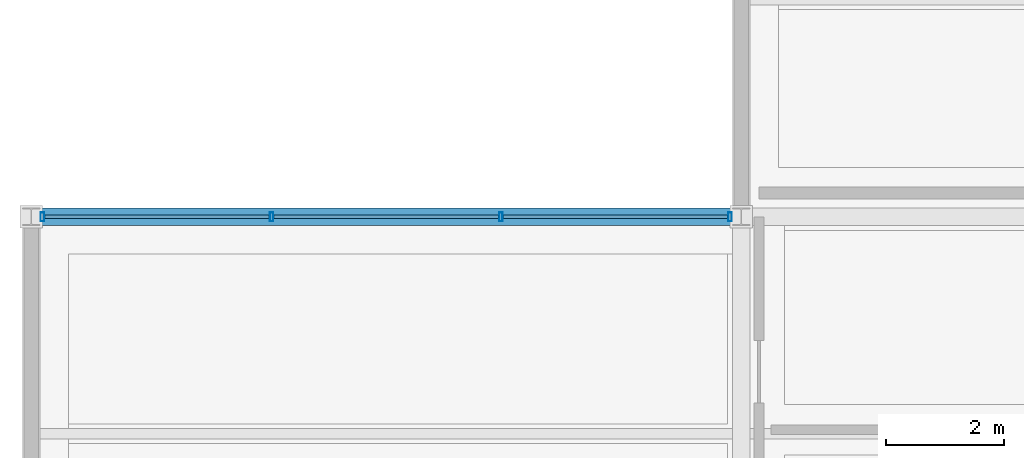
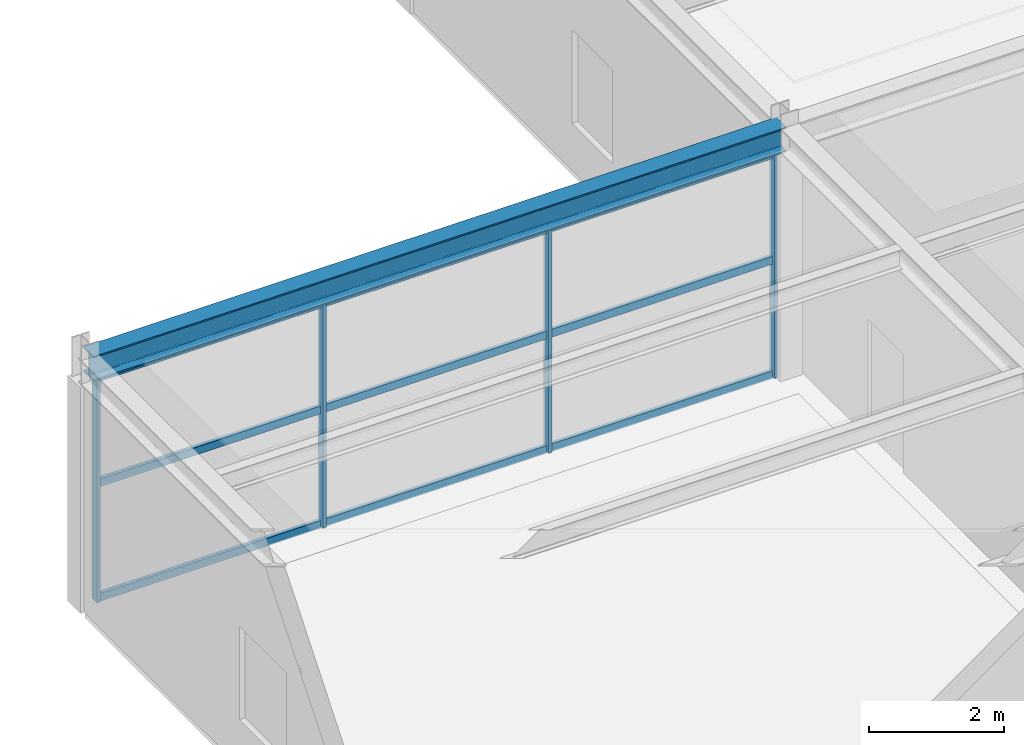
# One storey, part 52 of 108: 13 members, 1 beam, 1 element without a shape of its own.
"""IFC4 building model written with IfcOpenShell, lengths in metres."""

from ifc_helpers import new_model, si_unit, direction, frame, origin, origin_2d, place, context, subcontext, project, spatial, hollow_rectangle, i_section, extrude, material, material_profile, profile_set, type_object, element, aggregate, save


model = new_model("IFC4")

# Units and contexts
model_context = context("Model", 3, precision=1e-05, world=origin(), true_north=direction((0.0, 1.0)))
body_context = subcontext(model_context, "Body", "Model", "MODEL_VIEW")
ifc_project = project(units=[si_unit("LENGTHUNIT", "METRE"), si_unit("AREAUNIT", "SQUARE_METRE"), si_unit("VOLUMEUNIT", "CUBIC_METRE"), si_unit("PLANEANGLEUNIT", "RADIAN"), si_unit("MASSUNIT", "GRAM", prefix="KILO")], contexts=[model_context])

# Site, building, storey
site_placement = place(None, origin())
site = spatial("IfcSite", under=ifc_project, at=site_placement, CompositionType="ELEMENT")
building_placement = place(site_placement, origin())
building = spatial("IfcBuilding", under=site, at=building_placement, Name="Tarnveldt Headland Concert Hall", CompositionType="ELEMENT")
storey_placement = place(building_placement, frame((0.0, 0.0, 9.60009765625)))
storey = spatial("IfcBuildingStorey", under=building, at=storey_placement, Name="L02", CompositionType="ELEMENT", Elevation=9.60009765625)

# Curtain wall, members
ifc_material_1 = material(Name="Marine-anodised aluminium EN AW-6063-T6", Category="aluminium")
curtain_wall_type = type_object("IfcCurtainWallType", Name="CW-R3", PredefinedType="NOTDEFINED", material=ifc_material_1)
curtain_wall_placement = place(storey_placement, origin())
curtain_wall = element("IfcCurtainWall", 1, at=curtain_wall_placement, inside=storey, type_object=curtain_wall_type, Name="Curtain wall CW-L02-182", PredefinedType="NOTDEFINED")
ifc_material_profile_1 = material_profile(ifc_material_1, hollow_rectangle(XDim=0.06005859375, YDim=0.14990234375, WallThickness=0.00390625, at=origin_2d()), Name="ALU MULLION 60x150x4", Category="aluminium")
ifc_profile_set_1 = profile_set([ifc_material_profile_1], Name="Marine-anodised aluminium EN AW-6063-T6")
member_type_1 = type_object("IfcMemberType", Name="ML-150", PredefinedType="MULLION", material=ifc_profile_set_1)
member_1_placement = place(storey_placement, frame((19.31005859375, 93.0, 0.0), z_axis=(0.0, 0.0, 1.0), x_axis=(1.0, 0.0, 0.0)))
member_1 = element("IfcMember", 2, at=member_1_placement, type_object=member_type_1, Name="Mullion CW-L02-182-1", PredefinedType="MULLION", context=body_context, shape_type="SweptSolid", body=[
    extrude(hollow_rectangle(XDim=0.06005859375, YDim=0.14990234375, WallThickness=0.00390625, at=origin_2d()), origin(), (0.0, 0.0, 1.0), 4.087890625),
])
member_2_placement = place(storey_placement, frame((15.436767578125, 93.0, 0.0), z_axis=(0.0, 0.0, 1.0), x_axis=(1.0, 0.0, 0.0)))
member_2 = element("IfcMember", 3, at=member_2_placement, type_object=member_type_1, Name="Mullion CW-L02-182-2", PredefinedType="MULLION", context=body_context, shape_type="SweptSolid", body=[
    extrude(hollow_rectangle(XDim=0.06005859375, YDim=0.14990234375, WallThickness=0.00390625, at=origin_2d()), origin(), (0.0, 0.0, 1.0), 4.087890625),
])
member_3_placement = place(storey_placement, frame((11.563232421875, 93.0, 0.0), z_axis=(0.0, 0.0, 1.0), x_axis=(1.0, 0.0, 0.0)))
member_3 = element("IfcMember", 4, at=member_3_placement, type_object=member_type_1, Name="Mullion CW-L02-182-3", PredefinedType="MULLION", context=body_context, shape_type="SweptSolid", body=[
    extrude(hollow_rectangle(XDim=0.06005859375, YDim=0.14990234375, WallThickness=0.00390625, at=origin_2d()), origin(), (0.0, 0.0, 1.0), 4.087890625),
])
member_4_placement = place(storey_placement, frame((7.68994140625, 93.0, 0.0), z_axis=(0.0, 0.0, 1.0), x_axis=(1.0, 0.0, 0.0)))
member_4 = element("IfcMember", 5, at=member_4_placement, type_object=member_type_1, Name="Mullion CW-L02-182-4", PredefinedType="MULLION", context=body_context, shape_type="SweptSolid", body=[
    extrude(hollow_rectangle(XDim=0.06005859375, YDim=0.14990234375, WallThickness=0.00390625, at=origin_2d()), origin(), (0.0, 0.0, 1.0), 4.087890625),
])

# Beam
ifc_material_2 = material(Name="Steel S355", Category="steel")
ifc_material_profile_2 = material_profile(ifc_material_2, i_section(OverallWidth=0.300048828125, OverallDepth=0.449951171875, WebThickness=0.013916015625, FlangeThickness=0.02587890625, FilletRadius=0.027099609375, at=origin_2d()), Name="HEB450", Category="steel")
ifc_profile_set_2 = profile_set([ifc_material_profile_2], Name="Steel S355")
beam_type = type_object("IfcBeamType", Name="SB-HEB450", PredefinedType="BEAM", material=ifc_profile_set_2)
beam_placement = place(storey_placement, frame((7.56005859375, 93.0, 4.324951171875), z_axis=(1.0, 0.0, 0.0), x_axis=(0.0, 1.0, 0.0)))
element("IfcBeam", 6, at=beam_placement, inside=storey, type_object=beam_type, Name="Framing beam L02-1175", PredefinedType="BEAM", context=body_context, shape_type="SweptSolid", body=[
    extrude(i_section(OverallWidth=0.300048828125, OverallDepth=0.449951171875, WebThickness=0.013916015625, FlangeThickness=0.02587890625, FilletRadius=0.027099609375, at=origin_2d()), origin(), (0.0, 0.0, 1.0), 11.8798828125),
])

# Member
ifc_material_profile_3 = material_profile(ifc_material_1, hollow_rectangle(XDim=0.06494140625, YDim=0.139892578125, WallThickness=0.00390625, at=origin_2d()), Name="ALU TRANSOM 65x140x4", Category="aluminium")
ifc_profile_set_3 = profile_set([ifc_material_profile_3], Name="Marine-anodised aluminium EN AW-6063-T6")
member_type_2 = type_object("IfcMemberType", Name="TR-140", PredefinedType="MEMBER", material=ifc_profile_set_3)
member_5_placement = place(storey_placement, frame((19.26806640625, 93.0, 0.0498046875), z_axis=(-1.0, 0.0, 0.0), x_axis=(0.0, -1.0, 0.0)))
member_5 = element("IfcMember", 7, at=member_5_placement, type_object=member_type_2, Name="Transom CW-L02-182-1-1", PredefinedType="MEMBER", context=body_context, shape_type="SweptSolid", body=[
    extrude(hollow_rectangle(XDim=0.06494140625, YDim=0.139892578125, WallThickness=0.00390625, at=origin_2d()), origin(), (0.0, 0.0, 1.0), 3.789306640625),
])

member_6_placement = place(storey_placement, frame((19.26806640625, 93.0, 2.125732421875), z_axis=(-1.0, 0.0, 0.0), x_axis=(0.0, -1.0, 0.0)))
member_6 = element("IfcMember", 8, at=member_6_placement, type_object=member_type_2, Name="Transom CW-L02-182-1-2", PredefinedType="MEMBER", context=body_context, shape_type="SweptSolid", body=[
    extrude(hollow_rectangle(XDim=0.06494140625, YDim=0.139892578125, WallThickness=0.00390625, at=origin_2d()), origin(), (0.0, 0.0, 1.0), 3.789306640625),
])

member_7_placement = place(storey_placement, frame((19.26806640625, 93.0, 4.037841796875), z_axis=(-1.0, 0.0, 0.0), x_axis=(0.0, -1.0, 0.0)))
member_7 = element("IfcMember", 9, at=member_7_placement, type_object=member_type_2, Name="Transom CW-L02-182-1-3", PredefinedType="MEMBER", context=body_context, shape_type="SweptSolid", body=[
    extrude(hollow_rectangle(XDim=0.06494140625, YDim=0.139892578125, WallThickness=0.00390625, at=origin_2d()), origin(), (0.0, 0.0, 1.0), 3.789306640625),
])

member_8_placement = place(storey_placement, frame((15.394775390625, 93.0, 0.0498046875), z_axis=(-1.0, 0.0, 0.0), x_axis=(0.0, -1.0, 0.0)))
member_8 = element("IfcMember", 10, at=member_8_placement, type_object=member_type_2, Name="Transom CW-L02-182-2-1", PredefinedType="MEMBER", context=body_context, shape_type="SweptSolid", body=[
    extrude(hollow_rectangle(XDim=0.06494140625, YDim=0.139892578125, WallThickness=0.00390625, at=origin_2d()), origin(), (0.0, 0.0, 1.0), 3.78955078125),
])

member_9_placement = place(storey_placement, frame((15.394775390625, 93.0, 2.125732421875), z_axis=(-1.0, 0.0, 0.0), x_axis=(0.0, -1.0, 0.0)))
member_9 = element("IfcMember", 11, at=member_9_placement, type_object=member_type_2, Name="Transom CW-L02-182-2-2", PredefinedType="MEMBER", context=body_context, shape_type="SweptSolid", body=[
    extrude(hollow_rectangle(XDim=0.06494140625, YDim=0.139892578125, WallThickness=0.00390625, at=origin_2d()), origin(), (0.0, 0.0, 1.0), 3.78955078125),
])

member_10_placement = place(storey_placement, frame((15.394775390625, 93.0, 4.037841796875), z_axis=(-1.0, 0.0, 0.0), x_axis=(0.0, -1.0, 0.0)))
member_10 = element("IfcMember", 12, at=member_10_placement, type_object=member_type_2, Name="Transom CW-L02-182-2-3", PredefinedType="MEMBER", context=body_context, shape_type="SweptSolid", body=[
    extrude(hollow_rectangle(XDim=0.06494140625, YDim=0.139892578125, WallThickness=0.00390625, at=origin_2d()), origin(), (0.0, 0.0, 1.0), 3.78955078125),
])

member_11_placement = place(storey_placement, frame((11.521240234375, 93.0, 0.0498046875), z_axis=(-1.0, 0.0, 0.0), x_axis=(0.0, -1.0, 0.0)))
member_11 = element("IfcMember", 13, at=member_11_placement, type_object=member_type_2, Name="Transom CW-L02-182-3-1", PredefinedType="MEMBER", context=body_context, shape_type="SweptSolid", body=[
    extrude(hollow_rectangle(XDim=0.06494140625, YDim=0.139892578125, WallThickness=0.00390625, at=origin_2d()), origin(), (0.0, 0.0, 1.0), 3.789306640625),
])

member_12_placement = place(storey_placement, frame((11.521240234375, 93.0, 2.125732421875), z_axis=(-1.0, 0.0, 0.0), x_axis=(0.0, -1.0, 0.0)))
member_12 = element("IfcMember", 14, at=member_12_placement, type_object=member_type_2, Name="Transom CW-L02-182-3-2", PredefinedType="MEMBER", context=body_context, shape_type="SweptSolid", body=[
    extrude(hollow_rectangle(XDim=0.06494140625, YDim=0.139892578125, WallThickness=0.00390625, at=origin_2d()), origin(), (0.0, 0.0, 1.0), 3.789306640625),
])

member_13_placement = place(storey_placement, frame((11.521240234375, 93.0, 4.037841796875), z_axis=(-1.0, 0.0, 0.0), x_axis=(0.0, -1.0, 0.0)))
member_13 = element("IfcMember", 15, at=member_13_placement, type_object=member_type_2, Name="Transom CW-L02-182-3-3", PredefinedType="MEMBER", context=body_context, shape_type="SweptSolid", body=[
    extrude(hollow_rectangle(XDim=0.06494140625, YDim=0.139892578125, WallThickness=0.00390625, at=origin_2d()), origin(), (0.0, 0.0, 1.0), 3.789306640625),
])

aggregate(curtain_wall, [member_1, member_2, member_3, member_4, member_5, member_6, member_7, member_8, member_9, member_10, member_11, member_12, member_13])

save(model, "model.ifc")
